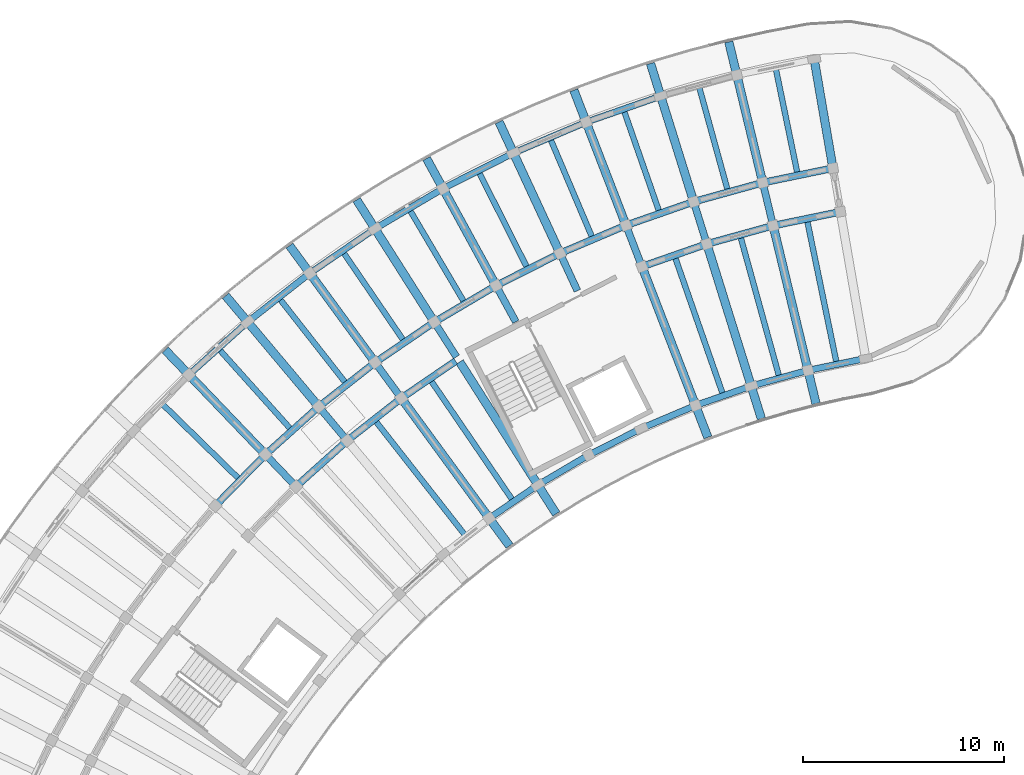
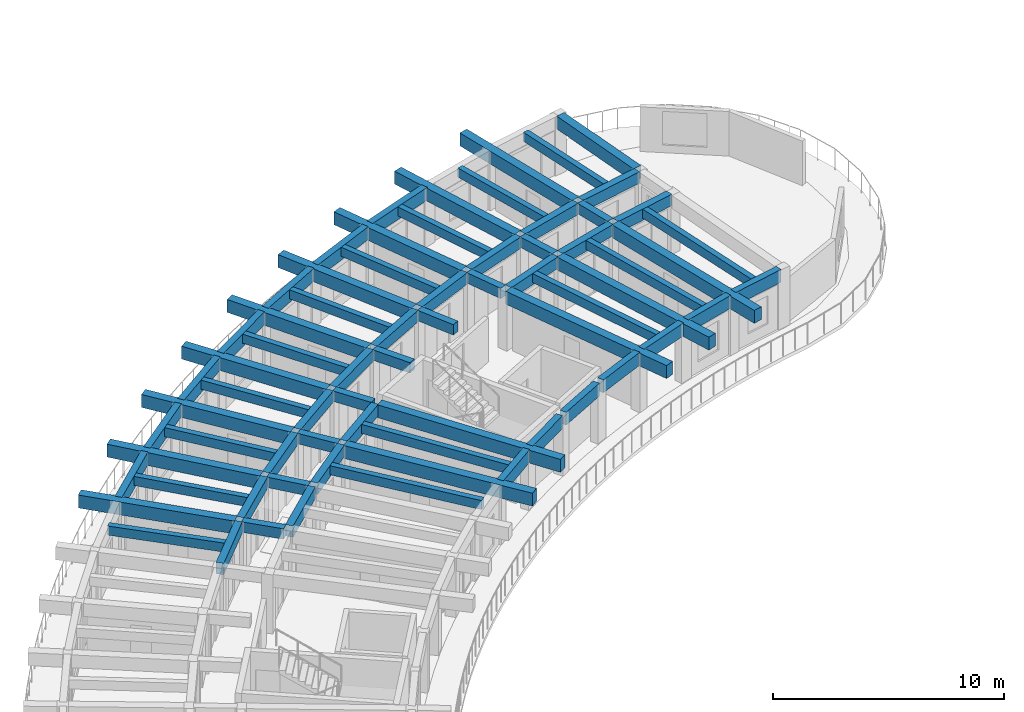
# One storey, part 7 of 41: 69 beams.
"""IFC4 building model written with IfcOpenShell, lengths in metres."""

from ifc_helpers import new_model, si_unit, direction, frame, origin, origin_2d, place, context, subcontext, project, spatial, rectangle, extrude, material, material_profile, profile_set, type_object, element, save


model = new_model("IFC4")

# Units and contexts
model_context = context("Model", 3, precision=1e-05, world=origin(), true_north=direction((0.0, 1.0)))
body_context = subcontext(model_context, "Body", "Model", "MODEL_VIEW")
ifc_project = project(units=[si_unit("LENGTHUNIT", "METRE"), si_unit("AREAUNIT", "SQUARE_METRE"), si_unit("VOLUMEUNIT", "CUBIC_METRE"), si_unit("PLANEANGLEUNIT", "RADIAN"), si_unit("MASSUNIT", "GRAM", prefix="KILO")], contexts=[model_context])

# Site, building, storey
site_placement = place(None, origin())
site = spatial("IfcSite", under=ifc_project, at=site_placement, CompositionType="ELEMENT")
building_placement = place(site_placement, origin())
building = spatial("IfcBuilding", under=site, at=building_placement, Name="Tanwirah Colonnade Gardens", CompositionType="ELEMENT")
storey_placement = place(building_placement, frame((0.0, 0.0, 35.719970703125)))
storey = spatial("IfcBuildingStorey", under=building, at=storey_placement, Name="L10", CompositionType="ELEMENT", Elevation=35.719970703125)

# Beams
ifc_material_1 = material(Name="Precast concrete C40/50", Category="concrete")
ifc_material_profile_1 = material_profile(ifc_material_1, rectangle(XDim=0.35009765625, YDim=0.550048828125, at=origin_2d()), Name="PC-BM 350x550")
ifc_profile_set_1 = profile_set([ifc_material_profile_1], Name="Precast concrete C40/50")
beam_type_1 = type_object("IfcBeamType", Name="BM-PC350A", PredefinedType="BEAM", material=ifc_profile_set_1)
beam_1_placement = place(storey_placement, frame((52.811767578125, 110.75146484375, 2.840087890625), z_axis=(-0.234364199778, 0.972148868159, 0.0), x_axis=(-0.972148868159, -0.234364199778, 0.0)))
element("IfcBeam", 1, at=beam_1_placement, inside=storey, type_object=beam_type_1, Name="Block A L10 Corridor Tie Beam 2", PredefinedType="BEAM", context=body_context, shape_type="SweptSolid", body=[
    extrude(rectangle(XDim=0.35009765625, YDim=0.550048828125, at=origin_2d()), origin(), (0.0, 0.0, 1.0), 1.900146484375),
])
for number, where, z_axis, x_axis, name in (
    (2, (49.507568359375, 109.838623046875, 2.840087890625), (-0.297857918398, 0.954610213882, 0.0), (-0.954610213882, -0.297857918398, 0.0), "Block A L10 Corridor Tie Beam 3"),
    (3, (46.270751953125, 108.7099609375, 2.840087890625), (-0.360175656082, 0.932884503444, 0.0), (-0.932884503444, -0.360175656082, 0.0), "Block A L10 Corridor Tie Beam 4"),
    (4, (43.115234375, 107.37060546875, 2.840087890625), (-0.420858322681, 0.90712638162, 0.0), (-0.90712638162, -0.420858322681, 0.0), "Block A L10 Corridor Tie Beam 5"),
    (5, (40.054931640625, 105.826171875, 2.840087890625), (-0.479707235792, 0.877428611301, 0.0), (-0.877428611301, -0.479707235792, 0.0), "Block A L10 Corridor Tie Beam 6"),
    (6, (37.10302734375, 104.08349609375, 2.840087890625), (-0.536509579595, 0.843894229749, 0.0), (-0.843894229749, -0.536509579595, 0.0), "Block A L10 Corridor Tie Beam 7"),
):
    element("IfcBeam", number, at=place(storey_placement, frame(where, z_axis=z_axis, x_axis=x_axis)), inside=storey, type_object=beam_type_1, Name=name, PredefinedType="BEAM", context=body_context, shape_type="SweptSolid", body=[
        extrude(rectangle(XDim=0.35009765625, YDim=0.550048828125, at=origin_2d()), origin(), (0.0, 0.0, 1.0), 1.89990234375),
    ])
beam_2_placement = place(storey_placement, frame((34.272216796875, 102.14990234375, 2.840087890625), z_axis=(-0.590895676149, 0.806747977939, 0.0), x_axis=(-0.806747977939, -0.590895676149, 0.0)))
element("IfcBeam", 7, at=beam_2_placement, inside=storey, type_object=beam_type_1, Name="Block A L10 Corridor Tie Beam 8", PredefinedType="BEAM", context=body_context, shape_type="SweptSolid", body=[
    extrude(rectangle(XDim=0.35009765625, YDim=0.550048828125, at=origin_2d()), origin(), (0.0, 0.0, 1.0), 1.900146484375),
])
beam_3_placement = place(storey_placement, frame((31.574951171875, 100.034423828125, 2.840087890625), z_axis=(-0.642797194343, 0.766036400535, 0.0), x_axis=(-0.766036400535, -0.642797194343, 0.0)))
element("IfcBeam", 8, at=beam_3_placement, inside=storey, type_object=beam_type_1, Name="Block A L10 Corridor Tie Beam 9", PredefinedType="BEAM", context=body_context, shape_type="SweptSolid", body=[
    extrude(rectangle(XDim=0.35009765625, YDim=0.550048828125, at=origin_2d()), origin(), (0.0, 0.0, 1.0), 1.89990234375),
])
beam_4_placement = place(storey_placement, frame((29.023193359375, 97.74560546875, 2.840087890625), z_axis=(-0.691913735329, 0.721980181766, 0.0), x_axis=(-0.721980181766, -0.691913735329, 0.0)))
element("IfcBeam", 9, at=beam_4_placement, inside=storey, type_object=beam_type_1, Name="Block A L10 Corridor Tie Beam 10", PredefinedType="BEAM", context=body_context, shape_type="SweptSolid", body=[
    extrude(rectangle(XDim=0.35009765625, YDim=0.550048828125, at=origin_2d()), origin(), (0.0, 0.0, 1.0), 1.900146484375),
])
ifc_material_profile_2 = material_profile(ifc_material_1, rectangle(XDim=0.35009765625, YDim=0.60009765625, at=origin_2d()), Name="PC-BM 350x600")
ifc_profile_set_2 = profile_set([ifc_material_profile_2], Name="Precast concrete C40/50")
beam_type_2 = type_object("IfcBeamType", Name="BM-PC350B", PredefinedType="BEAM", material=ifc_profile_set_2)
beam_5_placement = place(storey_placement, frame((56.047607421875, 111.2666015625, 2.81494140625), z_axis=(-0.979335880607, -0.202240532428, 0.0), x_axis=(0.202240532428, -0.979335880607, 0.0)))
element("IfcBeam", 10, at=beam_5_placement, inside=storey, type_object=beam_type_2, Name="Block A L10 Circumferential Beam 1-R1", PredefinedType="BEAM", context=body_context, shape_type="SweptSolid", body=[
    extrude(rectangle(XDim=0.35009765625, YDim=0.60009765625, at=origin_2d()), origin(), (0.0, 0.0, 1.0), 3.1181640625),
])
beam_6_placement = place(storey_placement, frame((55.673828125, 113.4345703125, 2.81494140625), z_axis=(-0.979335599813, -0.202241892146, 0.0), x_axis=(0.202241892146, -0.979335599813, 0.0)))
element("IfcBeam", 11, at=beam_6_placement, inside=storey, type_object=beam_type_2, Name="Block A L10 Circumferential Beam 1-R2", PredefinedType="BEAM", context=body_context, shape_type="SweptSolid", body=[
    extrude(rectangle(XDim=0.35009765625, YDim=0.60009765625, at=origin_2d()), origin(), (0.0, 0.0, 1.0), 3.262939453125),
])
beam_7_placement = place(storey_placement, frame((52.702392578125, 110.565673828125, 2.81494140625), z_axis=(-0.963894965188, -0.266282737114, 0.0), x_axis=(0.266282737114, -0.963894965188, 0.0)))
element("IfcBeam", 12, at=beam_7_placement, inside=storey, type_object=beam_type_2, Name="Block A L10 Circumferential Beam 2-R1", PredefinedType="BEAM", context=body_context, shape_type="SweptSolid", body=[
    extrude(rectangle(XDim=0.35009765625, YDim=0.60009765625, at=origin_2d()), origin(), (0.0, 0.0, 1.0), 3.1181640625),
])
beam_8_placement = place(storey_placement, frame((52.186767578125, 112.704345703125, 2.81494140625), z_axis=(-0.9638953302, -0.266281415833, 0.0), x_axis=(0.266281415833, -0.9638953302, 0.0)))
element("IfcBeam", 13, at=beam_8_placement, inside=storey, type_object=beam_type_2, Name="Block A L10 Circumferential Beam 2-R2", PredefinedType="BEAM", context=body_context, shape_type="SweptSolid", body=[
    extrude(rectangle(XDim=0.35009765625, YDim=0.60009765625, at=origin_2d()), origin(), (0.0, 0.0, 1.0), 3.26318359375),
])
beam_9_placement = place(storey_placement, frame((49.41064453125, 109.64599609375, 2.81494140625), z_axis=(-0.944248304077, -0.329234172358, 0.0), x_axis=(0.329234172358, -0.944248304077, 0.0)))
element("IfcBeam", 14, at=beam_9_placement, inside=storey, type_object=beam_type_2, Name="Block A L10 Circumferential Beam 3-R1", PredefinedType="BEAM", context=body_context, shape_type="SweptSolid", body=[
    extrude(rectangle(XDim=0.35009765625, YDim=0.60009765625, at=origin_2d()), origin(), (0.0, 0.0, 1.0), 3.1181640625),
])
for number, where, z_axis, x_axis, name in (
    (15, (48.755126953125, 111.74609375, 2.81494140625), (-0.944231021702, -0.329283734272, 0.0), (0.329283734272, -0.944231021702, 0.0), "Block A L10 Circumferential Beam 3-R2"),
    (16, (45.394287109375, 110.563720703125, 2.81494140625), (-0.920513294115, -0.390711242938, 0.0), (0.390711242938, -0.920513294115, 0.0), "Block A L10 Circumferential Beam 4-R2"),
):
    element("IfcBeam", number, at=place(storey_placement, frame(where, z_axis=z_axis, x_axis=x_axis)), inside=storey, type_object=beam_type_2, Name=name, PredefinedType="BEAM", context=body_context, shape_type="SweptSolid", body=[
        extrude(rectangle(XDim=0.35009765625, YDim=0.60009765625, at=origin_2d()), origin(), (0.0, 0.0, 1.0), 3.262939453125),
    ])
for number, where, z_axis, x_axis, name in (
    (17, (42.11865234375, 109.16259765625, 2.81494140625), (-0.89276014323, -0.450532270387, 0.0), (0.450532270387, -0.89276014323, 0.0), "Block A L10 Circumferential Beam 5-R2"),
    (18, (38.9423828125, 107.548583984375, 2.81494140625), (-0.861134978964, -0.508376384193, 0.0), (0.508376384193, -0.861134978964, 0.0), "Block A L10 Circumferential Beam 6-R2"),
):
    element("IfcBeam", number, at=place(storey_placement, frame(where, z_axis=z_axis, x_axis=x_axis)), inside=storey, type_object=beam_type_2, Name=name, PredefinedType="BEAM", context=body_context, shape_type="SweptSolid", body=[
        extrude(rectangle(XDim=0.35009765625, YDim=0.60009765625, at=origin_2d()), origin(), (0.0, 0.0, 1.0), 3.26318359375),
    ])
beam_10_placement = place(storey_placement, frame((37.0595703125, 103.872314453125, 2.81494140625), z_axis=(-0.825758291455, -0.564024152047, 0.0), x_axis=(0.564024152047, -0.825758291455, 0.0)))
element("IfcBeam", 19, at=beam_10_placement, inside=storey, type_object=beam_type_2, Name="Block A L10 Circumferential Beam 7-R1", PredefinedType="BEAM", context=body_context, shape_type="SweptSolid", body=[
    extrude(rectangle(XDim=0.35009765625, YDim=0.60009765625, at=origin_2d()), origin(), (0.0, 0.0, 1.0), 3.118408203125),
])
beam_11_placement = place(storey_placement, frame((35.87939453125, 105.728759765625, 2.81494140625), z_axis=(-0.825782284145, -0.563989024, 0.0), x_axis=(0.563989024, -0.825782284145, 0.0)))
element("IfcBeam", 20, at=beam_11_placement, inside=storey, type_object=beam_type_2, Name="Block A L10 Circumferential Beam 7-R2", PredefinedType="BEAM", context=body_context, shape_type="SweptSolid", body=[
    extrude(rectangle(XDim=0.35009765625, YDim=0.60009765625, at=origin_2d()), origin(), (0.0, 0.0, 1.0), 3.26318359375),
])
beam_12_placement = place(storey_placement, frame((34.242919921875, 101.9365234375, 2.81494140625), z_axis=(-0.78679899272, -0.617209320292, 0.0), x_axis=(0.617209320292, -0.78679899272, 0.0)))
element("IfcBeam", 21, at=beam_12_placement, inside=storey, type_object=beam_type_2, Name="Block A L10 Circumferential Beam 8-R1", PredefinedType="BEAM", context=body_context, shape_type="SweptSolid", body=[
    extrude(rectangle(XDim=0.35009765625, YDim=0.60009765625, at=origin_2d()), origin(), (0.0, 0.0, 1.0), 3.1181640625),
])
beam_13_placement = place(storey_placement, frame((32.94287109375, 103.711181640625, 2.81494140625), z_axis=(-0.786839882256, -0.617157192044, 0.0), x_axis=(0.617157192044, -0.786839882256, 0.0)))
element("IfcBeam", 22, at=beam_13_placement, inside=storey, type_object=beam_type_2, Name="Block A L10 Circumferential Beam 8-R2", PredefinedType="BEAM", context=body_context, shape_type="SweptSolid", body=[
    extrude(rectangle(XDim=0.35009765625, YDim=0.60009765625, at=origin_2d()), origin(), (0.0, 0.0, 1.0), 3.26318359375),
])
beam_14_placement = place(storey_placement, frame((31.559814453125, 99.8193359375, 2.81494140625), z_axis=(-0.744429866059, -0.667700662363, 0.0), x_axis=(0.667700662363, -0.744429866059, 0.0)))
element("IfcBeam", 23, at=beam_14_placement, inside=storey, type_object=beam_type_2, Name="Block A L10 Circumferential Beam 9-R1", PredefinedType="BEAM", context=body_context, shape_type="SweptSolid", body=[
    extrude(rectangle(XDim=0.35009765625, YDim=0.60009765625, at=origin_2d()), origin(), (0.0, 0.0, 1.0), 3.1181640625),
])
beam_15_placement = place(storey_placement, frame((30.145751953125, 101.504638671875, 2.81494140625), z_axis=(-0.744409136578, -0.667723773262, 0.0), x_axis=(0.667723773262, -0.744409136578, 0.0)))
element("IfcBeam", 24, at=beam_15_placement, inside=storey, type_object=beam_type_2, Name="Block A L10 Circumferential Beam 9-R2", PredefinedType="BEAM", context=body_context, shape_type="SweptSolid", body=[
    extrude(rectangle(XDim=0.35009765625, YDim=0.60009765625, at=origin_2d()), origin(), (0.0, 0.0, 1.0), 3.26318359375),
])
beam_16_placement = place(storey_placement, frame((27.5, 99.118408203125, 2.81494140625), z_axis=(-0.698829447339, -0.71528833594, 0.0), x_axis=(0.71528833594, -0.698829447339, 0.0)))
element("IfcBeam", 25, at=beam_16_placement, inside=storey, type_object=beam_type_2, Name="Block A L10 Circumferential Beam 10-R2", PredefinedType="BEAM", context=body_context, shape_type="SweptSolid", body=[
    extrude(rectangle(XDim=0.35009765625, YDim=0.60009765625, at=origin_2d()), origin(), (0.0, 0.0, 1.0), 3.263427734375),
])
ifc_material_2 = material(Name="Precast concrete C45/55", Category="concrete")
ifc_material_profile_3 = material_profile(ifc_material_2, rectangle(XDim=0.419921875, YDim=0.679931640625, at=origin_2d()), Name="PC-BM 420x680")
ifc_profile_set_3 = profile_set([ifc_material_profile_3], Name="Precast concrete C45/55")
beam_type_3 = type_object("IfcBeamType", Name="BM-PC420", PredefinedType="BEAM", material=ifc_profile_set_3)
beam_17_placement = place(storey_placement, frame((55.79541015625, 113.61279296875, 2.775146484375), z_axis=(-0.169825156661, 0.985474208777, 0.0), x_axis=(-0.985474208777, -0.169825156661, 0.0)))
element("IfcBeam", 26, at=beam_17_placement, inside=storey, type_object=beam_type_3, Name="Block A L10 Outer Radial Precast Girder 1", PredefinedType="BEAM", context=body_context, shape_type="SweptSolid", body=[
    extrude(rectangle(XDim=0.419921875, YDim=0.679931640625, at=origin_2d()), origin(), (0.0, 0.0, 1.0), 5.19970703125),
])
beam_18_placement = place(storey_placement, frame((52.882080078125, 110.459716796875, 2.775146484375), z_axis=(0.234401428133, -0.972139892448, 0.0), x_axis=(0.972139892448, 0.234401428133, 0.0)))
element("IfcBeam", 27, at=beam_18_placement, inside=storey, type_object=beam_type_3, Name="Block A L10 Inner Radial Precast Girder 2", PredefinedType="BEAM", context=body_context, shape_type="SweptSolid", body=[
    extrude(rectangle(XDim=0.419921875, YDim=0.679931640625, at=origin_2d()), origin(), (0.0, 0.0, 1.0), 8.949951171875),
])
beam_19_placement = place(storey_placement, frame((52.296142578125, 112.89013671875, 2.775146484375), z_axis=(-0.234378734126, 0.972145364125, 0.0), x_axis=(-0.972145364125, -0.234378734126, 0.0)))
element("IfcBeam", 28, at=beam_19_placement, inside=storey, type_object=beam_type_3, Name="Block A L10 Outer Radial Precast Girder 2", PredefinedType="BEAM", context=body_context, shape_type="SweptSolid", body=[
    extrude(rectangle(XDim=0.419921875, YDim=0.679931640625, at=origin_2d()), origin(), (0.0, 0.0, 1.0), 7.0498046875),
])
beam_20_placement = place(storey_placement, frame((49.596923828125, 109.55224609375, 2.775146484375), z_axis=(0.29792861283, -0.9545881529, 0.0), x_axis=(0.9545881529, 0.29792861283, 0.0)))
element("IfcBeam", 29, at=beam_20_placement, inside=storey, type_object=beam_type_3, Name="Block A L10 Inner Radial Precast Girder 3", PredefinedType="BEAM", context=body_context, shape_type="SweptSolid", body=[
    extrude(rectangle(XDim=0.419921875, YDim=0.679931640625, at=origin_2d()), origin(), (0.0, 0.0, 1.0), 8.9501953125),
])
beam_21_placement = place(storey_placement, frame((48.852294921875, 111.938720703125, 2.775146484375), z_axis=(-0.297957513373, 0.954579132511, 0.0), x_axis=(-0.954579132511, -0.297957513373, 0.0)))
element("IfcBeam", 30, at=beam_21_placement, inside=storey, type_object=beam_type_3, Name="Block A L10 Outer Radial Precast Girder 3", PredefinedType="BEAM", context=body_context, shape_type="SweptSolid", body=[
    extrude(rectangle(XDim=0.419921875, YDim=0.679931640625, at=origin_2d()), origin(), (0.0, 0.0, 1.0), 7.050048828125),
])
beam_22_placement = place(storey_placement, frame((46.37890625, 108.43017578125, 2.775146484375), z_axis=(0.360155980892, -0.932892099563, 0.0), x_axis=(0.932892099563, 0.360155980892, 0.0)))
element("IfcBeam", 31, at=beam_22_placement, inside=storey, type_object=beam_type_3, Name="Block A L10 Inner Radial Precast Girder 4", PredefinedType="BEAM", context=body_context, shape_type="SweptSolid", body=[
    extrude(rectangle(XDim=0.419921875, YDim=0.679931640625, at=origin_2d()), origin(), (0.0, 0.0, 1.0), 8.949951171875),
])
for number, where, z_axis, x_axis, name in (
    (32, (45.478271484375, 110.76220703125, 2.775146484375), (-0.360150678391, 0.932894146651, 0.0), (-0.932894146651, -0.360150678391, 0.0), "Block A L10 Outer Radial Precast Girder 4"),
    (33, (42.189453125, 109.3662109375, 2.775146484375), (-0.420855908645, 0.9071275016, 0.0), (-0.9071275016, -0.420855908645, 0.0), "Block A L10 Outer Radial Precast Girder 5"),
    (34, (38.99951171875, 107.75634765625, 2.775146484375), (-0.479686549155, 0.877439920769, 0.0), (-0.877439920769, -0.479686549155, 0.0), "Block A L10 Outer Radial Precast Girder 6"),
):
    element("IfcBeam", number, at=place(storey_placement, frame(where, z_axis=z_axis, x_axis=x_axis)), inside=storey, type_object=beam_type_3, Name=name, PredefinedType="BEAM", context=body_context, shape_type="SweptSolid", body=[
        extrude(rectangle(XDim=0.419921875, YDim=0.679931640625, at=origin_2d()), origin(), (0.0, 0.0, 1.0), 7.050048828125),
    ])
beam_23_placement = place(storey_placement, frame((37.263916015625, 103.830322265625, 2.775146484375), z_axis=(0.536483588607, -0.843910753075, 0.0), x_axis=(0.843910753075, 0.536483588607, 0.0)))
element("IfcBeam", 35, at=beam_23_placement, inside=storey, type_object=beam_type_3, Name="Block A L10 Inner Radial Precast Girder 7", PredefinedType="BEAM", context=body_context, shape_type="SweptSolid", body=[
    extrude(rectangle(XDim=0.419921875, YDim=0.679931640625, at=origin_2d()), origin(), (0.0, 0.0, 1.0), 8.949951171875),
])
beam_24_placement = place(storey_placement, frame((35.922607421875, 105.93994140625, 2.775146484375), z_axis=(-0.536476584537, 0.8439152056, 0.0), x_axis=(-0.8439152056, -0.536476584537, 0.0)))
element("IfcBeam", 36, at=beam_24_placement, inside=storey, type_object=beam_type_3, Name="Block A L10 Outer Radial Precast Girder 7", PredefinedType="BEAM", context=body_context, shape_type="SweptSolid", body=[
    extrude(rectangle(XDim=0.419921875, YDim=0.679931640625, at=origin_2d()), origin(), (0.0, 0.0, 1.0), 7.050048828125),
])
beam_25_placement = place(storey_placement, frame((34.449462890625, 101.907958984375, 2.775146484375), z_axis=(0.590927205009, -0.806724883947, 0.0), x_axis=(0.806724883947, 0.590927205009, 0.0)))
element("IfcBeam", 37, at=beam_25_placement, inside=storey, type_object=beam_type_3, Name="Block A L10 Inner Radial Precast Girder 8", PredefinedType="BEAM", context=body_context, shape_type="SweptSolid", body=[
    extrude(rectangle(XDim=0.419921875, YDim=0.679931640625, at=origin_2d()), origin(), (0.0, 0.0, 1.0), 8.949951171875),
])
beam_26_placement = place(storey_placement, frame((32.97216796875, 103.9248046875, 2.775146484375), z_axis=(-0.590919194225, 0.806730751798, 0.0), x_axis=(-0.806730751798, -0.590919194225, 0.0)))
element("IfcBeam", 38, at=beam_26_placement, inside=storey, type_object=beam_type_3, Name="Block A L10 Outer Radial Precast Girder 8", PredefinedType="BEAM", context=body_context, shape_type="SweptSolid", body=[
    extrude(rectangle(XDim=0.419921875, YDim=0.679931640625, at=origin_2d()), origin(), (0.0, 0.0, 1.0), 7.050048828125),
])
beam_27_placement = place(storey_placement, frame((30.160888671875, 101.7197265625, 2.775146484375), z_axis=(-0.642810291951, 0.766025409867, 0.0), x_axis=(-0.766025409867, -0.642810291951, 0.0)))
element("IfcBeam", 39, at=beam_27_placement, inside=storey, type_object=beam_type_3, Name="Block A L10 Outer Radial Precast Girder 9", PredefinedType="BEAM", context=body_context, shape_type="SweptSolid", body=[
    extrude(rectangle(XDim=0.419921875, YDim=0.679931640625, at=origin_2d()), origin(), (0.0, 0.0, 1.0), 7.0498046875),
])
beam_28_placement = place(storey_placement, frame((27.5009765625, 99.333984375, 2.775146484375), z_axis=(-0.691864746793, 0.722027127015, 0.0), x_axis=(-0.722027127015, -0.691864746793, 0.0)))
element("IfcBeam", 40, at=beam_28_placement, inside=storey, type_object=beam_type_3, Name="Block A L10 Outer Radial Precast Girder 10", PredefinedType="BEAM", context=body_context, shape_type="SweptSolid", body=[
    extrude(rectangle(XDim=0.419921875, YDim=0.679931640625, at=origin_2d()), origin(), (0.0, 0.0, 1.0), 7.050048828125),
])
ifc_material_profile_4 = material_profile(ifc_material_1, rectangle(XDim=0.280029296875, YDim=0.47998046875, at=origin_2d()), Name="PC-JST 280x480")
ifc_profile_set_4 = profile_set([ifc_material_profile_4], Name="Precast concrete C40/50")
beam_type_4 = type_object("IfcBeamType", Name="JST-PC280", PredefinedType="JOIST", material=ifc_profile_set_4)
beam_29_placement = place(storey_placement, frame((54.0458984375, 113.2509765625, 2.875), z_axis=(-0.202235688429, 0.979336880918, 0.0), x_axis=(-0.979336880918, -0.202235688429, 0.0)))
element("IfcBeam", 41, at=beam_29_placement, inside=storey, type_object=beam_type_4, Name="Block A L10 Precast Floor Joist 1", PredefinedType="JOIST", context=body_context, shape_type="SweptSolid", body=[
    extrude(rectangle(XDim=0.280029296875, YDim=0.47998046875, at=origin_2d()), origin(), (0.0, 0.0, 1.0), 5.259765625),
])
beam_30_placement = place(storey_placement, frame((55.987060546875, 103.84912109375, 2.875), z_axis=(-0.202197428816, 0.979344780851, 0.0), x_axis=(-0.979344780851, -0.202197428816, 0.0)))
element("IfcBeam", 42, at=beam_30_placement, inside=storey, type_object=beam_type_4, Name="Block A L10 Inner Precast Floor Joist 1", PredefinedType="JOIST", context=body_context, shape_type="SweptSolid", body=[
    extrude(rectangle(XDim=0.280029296875, YDim=0.47998046875, at=origin_2d()), origin(), (0.0, 0.0, 1.0), 7.16015625),
])
beam_31_placement = place(storey_placement, frame((50.57421875, 112.413818359375, 2.875), z_axis=(-0.266281476085, 0.963895313555, 0.0), x_axis=(-0.963895313555, -0.266281476085, 0.0)))
element("IfcBeam", 43, at=beam_31_placement, inside=storey, type_object=beam_type_4, Name="Block A L10 Precast Floor Joist 2", PredefinedType="JOIST", context=body_context, shape_type="SweptSolid", body=[
    extrude(rectangle(XDim=0.280029296875, YDim=0.47998046875, at=origin_2d()), origin(), (0.0, 0.0, 1.0), 5.260009765625),
])
beam_32_placement = place(storey_placement, frame((53.130859375, 103.16064453125, 2.875), z_axis=(-0.266307034535, 0.963888252526, 0.0), x_axis=(-0.963888252526, -0.266307034535, 0.0)))
element("IfcBeam", 44, at=beam_32_placement, inside=storey, type_object=beam_type_4, Name="Block A L10 Inner Precast Floor Joist 2", PredefinedType="JOIST", context=body_context, shape_type="SweptSolid", body=[
    extrude(rectangle(XDim=0.280029296875, YDim=0.47998046875, at=origin_2d()), origin(), (0.0, 0.0, 1.0), 7.159912109375),
])
beam_33_placement = place(storey_placement, frame((47.16552734375, 111.349853515625, 2.875), z_axis=(-0.3292586038, 0.944239785131, 0.0), x_axis=(-0.944239785131, -0.3292586038, 0.0)))
element("IfcBeam", 45, at=beam_33_placement, inside=storey, type_object=beam_type_4, Name="Block A L10 Precast Floor Joist 3", PredefinedType="JOIST", context=body_context, shape_type="SweptSolid", body=[
    extrude(rectangle(XDim=0.280029296875, YDim=0.47998046875, at=origin_2d()), origin(), (0.0, 0.0, 1.0), 5.260009765625),
])
beam_34_placement = place(storey_placement, frame((50.326171875, 102.28515625, 2.875), z_axis=(-0.329250558112, 0.944242590642, 0.0), x_axis=(-0.944242590642, -0.329250558112, 0.0)))
element("IfcBeam", 46, at=beam_34_placement, inside=storey, type_object=beam_type_4, Name="Block A L10 Inner Precast Floor Joist 3", PredefinedType="JOIST", context=body_context, shape_type="SweptSolid", body=[
    extrude(rectangle(XDim=0.280029296875, YDim=0.47998046875, at=origin_2d()), origin(), (0.0, 0.0, 1.0), 7.159912109375),
])
beam_35_placement = place(storey_placement, frame((43.833984375, 110.063720703125, 2.875), z_axis=(-0.390723870106, 0.92050793442, 0.0), x_axis=(-0.92050793442, -0.390723870106, 0.0)))
element("IfcBeam", 47, at=beam_35_placement, inside=storey, type_object=beam_type_4, Name="Block A L10 Precast Floor Joist 4", PredefinedType="JOIST", context=body_context, shape_type="SweptSolid", body=[
    extrude(rectangle(XDim=0.280029296875, YDim=0.47998046875, at=origin_2d()), origin(), (0.0, 0.0, 1.0), 5.260009765625),
])
for number, where, z_axis, x_axis, name in (
    (48, (40.5947265625, 108.560791015625, 2.875), (-0.450533699488, 0.892759422031, 0.0), (-0.892759422031, -0.450533699488, 0.0), "Block A L10 Precast Floor Joist 5"),
    (49, (37.46142578125, 106.84765625, 2.875), (-0.508360236823, 0.86114451146, 0.0), (-0.86114451146, -0.508360236823, 0.0), "Block A L10 Precast Floor Joist 6"),
):
    element("IfcBeam", number, at=place(storey_placement, frame(where, z_axis=z_axis, x_axis=x_axis)), inside=storey, type_object=beam_type_4, Name=name, PredefinedType="JOIST", context=body_context, shape_type="SweptSolid", body=[
        extrude(rectangle(XDim=0.280029296875, YDim=0.47998046875, at=origin_2d()), origin(), (0.0, 0.0, 1.0), 5.26025390625),
    ])
beam_36_placement = place(storey_placement, frame((34.44775390625, 104.931884765625, 2.875), z_axis=(-0.563973225998, 0.825793073571, 0.0), x_axis=(-0.825793073571, -0.563973225998, 0.0)))
element("IfcBeam", 50, at=beam_36_placement, inside=storey, type_object=beam_type_4, Name="Block A L10 Precast Floor Joist 7", PredefinedType="JOIST", context=body_context, shape_type="SweptSolid", body=[
    extrude(rectangle(XDim=0.280029296875, YDim=0.47998046875, at=origin_2d()), origin(), (0.0, 0.0, 1.0), 5.260009765625),
])
beam_37_placement = place(storey_placement, frame((39.8623046875, 97.004638671875, 2.875), z_axis=(-0.564021195806, 0.825760310672, 0.0), x_axis=(-0.825760310672, -0.564021195806, 0.0)))
element("IfcBeam", 51, at=beam_37_placement, inside=storey, type_object=beam_type_4, Name="Block A L10 Inner Precast Floor Joist 7", PredefinedType="JOIST", context=body_context, shape_type="SweptSolid", body=[
    extrude(rectangle(XDim=0.280029296875, YDim=0.47998046875, at=origin_2d()), origin(), (0.0, 0.0, 1.0), 7.159912109375),
])
beam_38_placement = place(storey_placement, frame((31.56689453125, 102.82177734375, 2.875), z_axis=(-0.617177687243, 0.786823806433, 0.0), x_axis=(-0.786823806433, -0.617177687243, 0.0)))
element("IfcBeam", 52, at=beam_38_placement, inside=storey, type_object=beam_type_4, Name="Block A L10 Precast Floor Joist 8", PredefinedType="JOIST", context=body_context, shape_type="SweptSolid", body=[
    extrude(rectangle(XDim=0.280029296875, YDim=0.47998046875, at=origin_2d()), origin(), (0.0, 0.0, 1.0), 5.260009765625),
])
beam_39_placement = place(storey_placement, frame((37.491943359375, 95.268310546875, 2.875), z_axis=(-0.617202438917, 0.786804390808, 0.0), x_axis=(-0.786804390808, -0.617202438917, 0.0)))
element("IfcBeam", 53, at=beam_39_placement, inside=storey, type_object=beam_type_4, Name="Block A L10 Inner Precast Floor Joist 8", PredefinedType="JOIST", context=body_context, shape_type="SweptSolid", body=[
    extrude(rectangle(XDim=0.280029296875, YDim=0.47998046875, at=origin_2d()), origin(), (0.0, 0.0, 1.0), 7.159912109375),
])
for number, where, z_axis, x_axis, name in (
    (54, (28.831298828125, 100.5263671875, 2.875), (-0.667678987176, 0.744449306591, 0.0), (-0.744449306591, -0.667678987176, 0.0), "Block A L10 Precast Floor Joist 9"),
    (55, (26.2529296875, 98.0556640625, 2.875), (-0.715297399369, 0.698820170327, 0.0), (-0.698820170327, -0.715297399369, 0.0), "Block A L10 Precast Floor Joist 10"),
):
    element("IfcBeam", number, at=place(storey_placement, frame(where, z_axis=z_axis, x_axis=x_axis)), inside=storey, type_object=beam_type_4, Name=name, PredefinedType="JOIST", context=body_context, shape_type="SweptSolid", body=[
        extrude(rectangle(XDim=0.280029296875, YDim=0.47998046875, at=origin_2d()), origin(), (0.0, 0.0, 1.0), 5.260009765625),
    ])
ifc_material_profile_5 = material_profile(ifc_material_2, rectangle(XDim=0.320068359375, YDim=0.679931640625, at=origin_2d()), Name="PC-SP 320x680")
ifc_profile_set_5 = profile_set([ifc_material_profile_5], Name="Precast concrete C45/55")
beam_type_5 = type_object("IfcBeamType", Name="SP-PC320", PredefinedType="SPANDREL", material=ifc_profile_set_5)
for number, where, z_axis, x_axis, name in (
    (56, (57.30419921875, 103.973876953125, 2.775146484375), (-0.979351764611, -0.202163599974, 0.0), (0.202163599974, -0.979351764611, 0.0), "Block A L10 Circumferential Beam 1-R0"),
    (57, (54.436767578125, 103.371826171875, 2.775146484375), (-0.96388669146, -0.266312684688, 0.0), (0.266312684688, -0.96388669146, 0.0), "Block A L10 Circumferential Beam 2-R0"),
):
    element("IfcBeam", number, at=place(storey_placement, frame(where, z_axis=z_axis, x_axis=x_axis)), inside=storey, type_object=beam_type_5, Name=name, PredefinedType="SPANDREL", context=body_context, shape_type="SweptSolid", body=[
        extrude(rectangle(XDim=0.320068359375, YDim=0.679931640625, at=origin_2d()), origin(), (0.0, 0.0, 1.0), 2.630126953125),
    ])
beam_40_placement = place(storey_placement, frame((51.615478515625, 102.58203125, 2.775146484375), z_axis=(-0.944249847334, -0.32922974624, 0.0), x_axis=(0.32922974624, -0.944249847334, 0.0)))
element("IfcBeam", 58, at=beam_40_placement, inside=storey, type_object=beam_type_5, Name="Block A L10 Circumferential Beam 3-R0", PredefinedType="SPANDREL", context=body_context, shape_type="SweptSolid", body=[
    extrude(rectangle(XDim=0.320068359375, YDim=0.679931640625, at=origin_2d()), origin(), (0.0, 0.0, 1.0), 2.63037109375),
])
beam_41_placement = place(storey_placement, frame((47.11669921875, 116.996337890625, 2.775146484375), z_axis=(-0.944236700093, -0.329267450863, 0.0), x_axis=(0.329267450863, -0.944236700093, 0.0)))
element("IfcBeam", 59, at=beam_41_placement, inside=storey, type_object=beam_type_5, Name="Block A L10 Circumferential Beam 3-R3", PredefinedType="SPANDREL", context=body_context, shape_type="SweptSolid", body=[
    extrude(rectangle(XDim=0.320068359375, YDim=0.679931640625, at=origin_2d()), origin(), (0.0, 0.0, 1.0), 3.625732421875),
])
beam_42_placement = place(storey_placement, frame((48.85205078125, 101.608154296875, 2.775146484375), z_axis=(-0.920488719784, -0.390769134848, 0.0), x_axis=(0.390769134848, -0.920488719784, 0.0)))
element("IfcBeam", 60, at=beam_42_placement, inside=storey, type_object=beam_type_5, Name="Block A L10 Circumferential Beam 4-R0", PredefinedType="SPANDREL", context=body_context, shape_type="SweptSolid", body=[
    extrude(rectangle(XDim=0.320068359375, YDim=0.679931640625, at=origin_2d()), origin(), (0.0, 0.0, 1.0), 2.63037109375),
])
beam_43_placement = place(storey_placement, frame((43.413330078125, 115.694580078125, 2.775146484375), z_axis=(-0.920494456807, -0.390755620545, 0.0), x_axis=(0.390755620545, -0.920494456807, 0.0)))
element("IfcBeam", 61, at=beam_43_placement, inside=storey, type_object=beam_type_5, Name="Block A L10 Circumferential Beam 4-R3", PredefinedType="SPANDREL", context=body_context, shape_type="SweptSolid", body=[
    extrude(rectangle(XDim=0.320068359375, YDim=0.679931640625, at=origin_2d()), origin(), (0.0, 0.0, 1.0), 3.625732421875),
])
beam_44_placement = place(storey_placement, frame((46.158935546875, 100.4541015625, 2.775146484375), z_axis=(-0.892769015158, -0.450514689632, 0.0), x_axis=(0.450514689632, -0.892769015158, 0.0)))
element("IfcBeam", 62, at=beam_44_placement, inside=storey, type_object=beam_type_5, Name="Block A L10 Circumferential Beam 5-R0", PredefinedType="SPANDREL", context=body_context, shape_type="SweptSolid", body=[
    extrude(rectangle(XDim=0.320068359375, YDim=0.679931640625, at=origin_2d()), origin(), (0.0, 0.0, 1.0), 2.63037109375),
])
beam_45_placement = place(storey_placement, frame((39.803955078125, 114.15185546875, 2.775146484375), z_axis=(-0.892764670911, -0.450523298368, 0.0), x_axis=(0.450523298368, -0.892764670911, 0.0)))
element("IfcBeam", 63, at=beam_45_placement, inside=storey, type_object=beam_type_5, Name="Block A L10 Circumferential Beam 5-R3", PredefinedType="SPANDREL", context=body_context, shape_type="SweptSolid", body=[
    extrude(rectangle(XDim=0.320068359375, YDim=0.679931640625, at=origin_2d()), origin(), (0.0, 0.0, 1.0), 3.6259765625),
])
beam_46_placement = place(storey_placement, frame((43.547607421875, 99.125244140625, 2.775146484375), z_axis=(-0.861148181788, -0.508354019363, 0.0), x_axis=(0.508354019363, -0.861148181788, 0.0)))
element("IfcBeam", 64, at=beam_46_placement, inside=storey, type_object=beam_type_5, Name="Block A L10 Circumferential Beam 6-R0", PredefinedType="SPANDREL", context=body_context, shape_type="SweptSolid", body=[
    extrude(rectangle(XDim=0.320068359375, YDim=0.679931640625, at=origin_2d()), origin(), (0.0, 0.0, 1.0), 2.63037109375),
])
beam_47_placement = place(storey_placement, frame((36.303955078125, 112.37451171875, 2.775146484375), z_axis=(-0.861136912545, -0.5083731089, 0.0), x_axis=(0.5083731089, -0.861136912545, 0.0)))
element("IfcBeam", 65, at=beam_47_placement, inside=storey, type_object=beam_type_5, Name="Block A L10 Circumferential Beam 6-R3", PredefinedType="SPANDREL", context=body_context, shape_type="SweptSolid", body=[
    extrude(rectangle(XDim=0.320068359375, YDim=0.679931640625, at=origin_2d()), origin(), (0.0, 0.0, 1.0), 3.625732421875),
])
beam_48_placement = place(storey_placement, frame((41.029541015625, 97.627197265625, 2.775146484375), z_axis=(-0.825800981874, -0.563961646158, 0.0), x_axis=(0.563961646158, -0.825800981874, 0.0)))
element("IfcBeam", 66, at=beam_48_placement, inside=storey, type_object=beam_type_5, Name="Block A L10 Circumferential Beam 7-R0", PredefinedType="SPANDREL", context=body_context, shape_type="SweptSolid", body=[
    extrude(rectangle(XDim=0.320068359375, YDim=0.679931640625, at=origin_2d()), origin(), (0.0, 0.0, 1.0), 2.63037109375),
])
beam_49_placement = place(storey_placement, frame((32.9287109375, 110.370361328125, 2.775146484375), z_axis=(-0.825782625102, -0.563988524776, 0.0), x_axis=(0.563988524776, -0.825782625102, 0.0)))
element("IfcBeam", 67, at=beam_49_placement, inside=storey, type_object=beam_type_5, Name="Block A L10 Circumferential Beam 7-R3", PredefinedType="SPANDREL", context=body_context, shape_type="SweptSolid", body=[
    extrude(rectangle(XDim=0.320068359375, YDim=0.679931640625, at=origin_2d()), origin(), (0.0, 0.0, 1.0), 3.625732421875),
])
beam_50_placement = place(storey_placement, frame((29.69287109375, 108.148193359375, 2.775146484375), z_axis=(-0.786843799845, -0.617152197311, 0.0), x_axis=(0.617152197311, -0.786843799845, 0.0)))
element("IfcBeam", 68, at=beam_50_placement, inside=storey, type_object=beam_type_5, Name="Block A L10 Circumferential Beam 8-R3", PredefinedType="SPANDREL", context=body_context, shape_type="SweptSolid", body=[
    extrude(rectangle(XDim=0.320068359375, YDim=0.679931640625, at=origin_2d()), origin(), (0.0, 0.0, 1.0), 3.62548828125),
])
beam_51_placement = place(storey_placement, frame((26.6103515625, 105.7177734375, 2.775146484375), z_axis=(-0.744444790955, -0.667684021989, 0.0), x_axis=(0.667684021989, -0.744444790955, 0.0)))
element("IfcBeam", 69, at=beam_51_placement, inside=storey, type_object=beam_type_5, Name="Block A L10 Circumferential Beam 9-R3", PredefinedType="SPANDREL", context=body_context, shape_type="SweptSolid", body=[
    extrude(rectangle(XDim=0.320068359375, YDim=0.679931640625, at=origin_2d()), origin(), (0.0, 0.0, 1.0), 3.625732421875),
])

save(model, "model.ifc")
